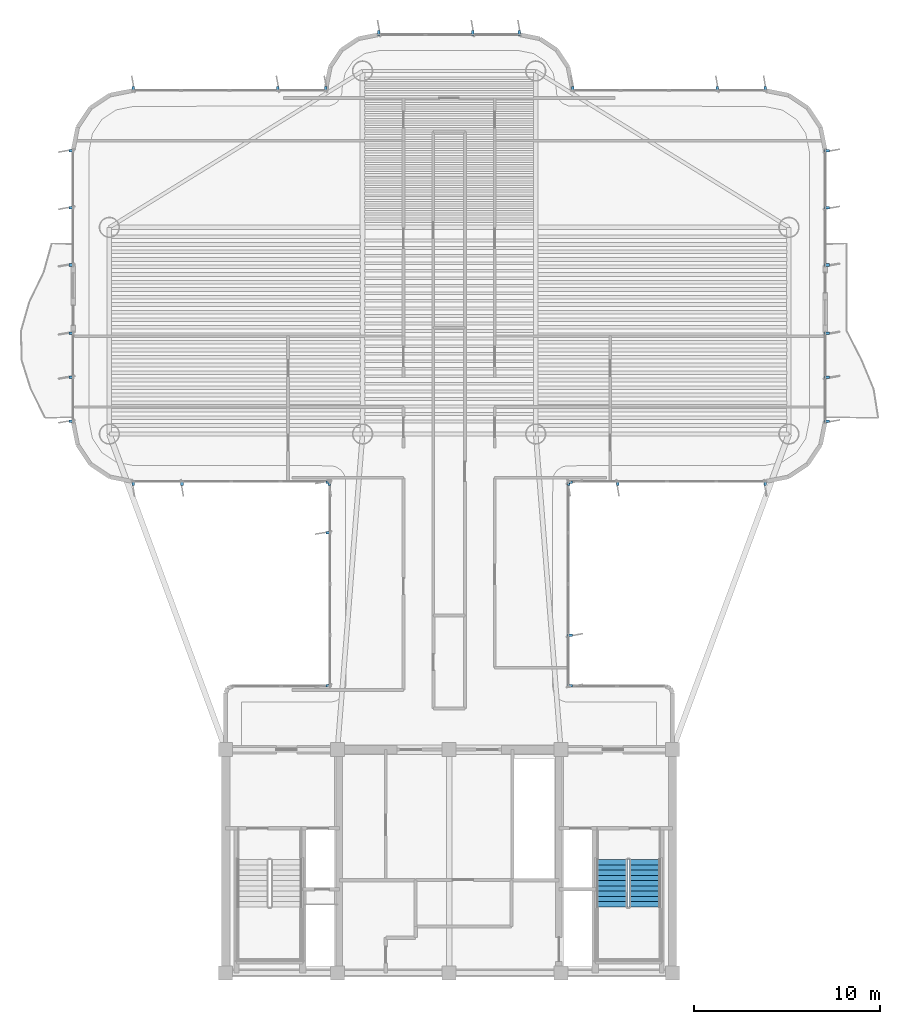
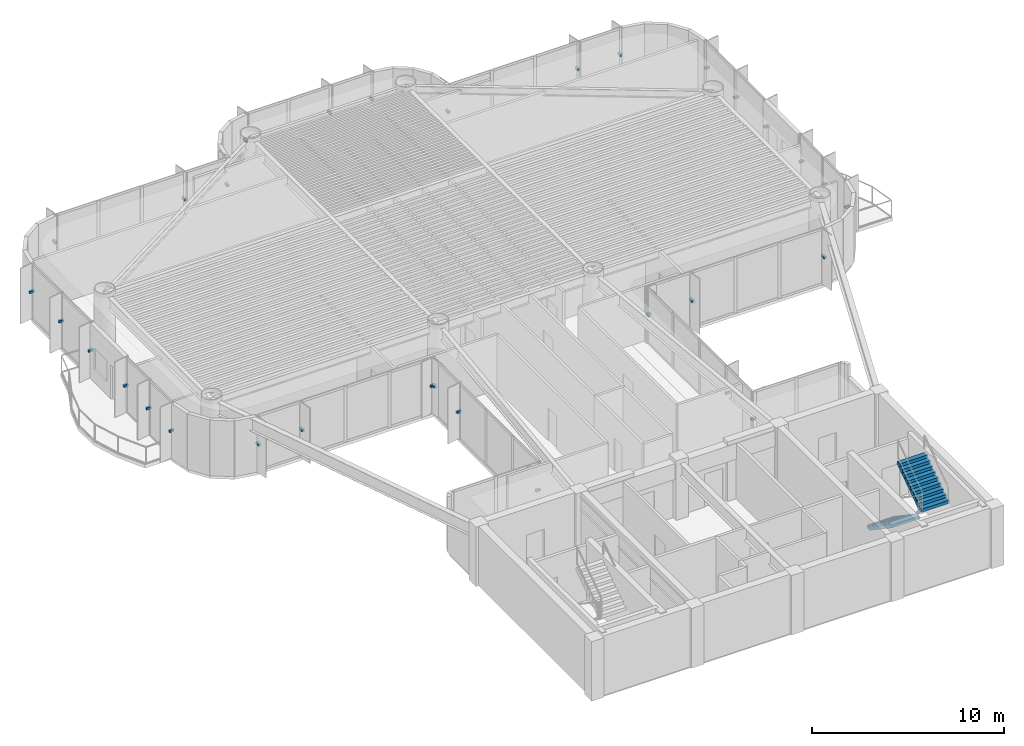
# One storey, part 12 of 14: 33 discrete accessories, 2 stair flights, 1 element without a shape of its own.
"""IFC4 building model written with IfcOpenShell, lengths in metres."""

from ifc_helpers import new_model, si_unit, direction, frame, origin, origin_2d, place, context, subcontext, project, spatial, polyline, rectangle, outline, extrude, source, transform, mapped, material, type_object, element, aggregate, save


model = new_model("IFC4")

# Units and contexts
model_context = context("Model", 3, precision=1e-05, world=origin(), true_north=direction((0.0, 1.0)))
body_context = subcontext(model_context, "Body", "Model", "MODEL_VIEW")
ifc_project = project(units=[si_unit("LENGTHUNIT", "METRE"), si_unit("AREAUNIT", "SQUARE_METRE"), si_unit("VOLUMEUNIT", "CUBIC_METRE"), si_unit("PLANEANGLEUNIT", "RADIAN"), si_unit("MASSUNIT", "GRAM", prefix="KILO")], contexts=[model_context])

# Site, building, storey
site_placement = place(None, origin())
site = spatial("IfcSite", under=ifc_project, at=site_placement, CompositionType="ELEMENT")
building_placement = place(site_placement, origin())
building = spatial("IfcBuilding", under=site, at=building_placement, Name="Brelvock Crest Care Tower", CompositionType="ELEMENT")
storey_placement = place(building_placement, frame((0.0, 0.0, 179.10009765625)))
storey = spatial("IfcBuildingStorey", under=building, at=storey_placement, Name="L45", CompositionType="ELEMENT", Elevation=179.10009765625)

# Stair, stair flights
ifc_material_1 = material(Name="Concrete N40 (40 MPa)", Category="concrete")
stair_type = type_object("IfcStairType", Name="ST-CORE1", PredefinedType="HALF_TURN_STAIR", material=ifc_material_1)
stair_placement = place(storey_placement, origin())
stair = element("IfcStair", 1, at=stair_placement, inside=storey, type_object=stair_type, Name="L45 Fire-Isolated Core Stair ST-2", PredefinedType="HALF_TURN_STAIR")
stair_flight_type = type_object("IfcStairFlightType", Name="STF-1", PredefinedType="STRAIGHT", material=ifc_material_1)
stair_flight_1_placement = place(storey_placement, frame((44.72998046875, 12.080078125, 0.0), z_axis=(0.0, 0.0, 1.0), x_axis=(0.0, -1.0, 0.0)))
stair_flight_1 = element("IfcStairFlight", 2, at=stair_flight_1_placement, type_object=stair_flight_type, Name="ST-2 flight 1", NumberOfRisers=10, NumberOfTreads=9, PredefinedType="STRAIGHT", RiserHeight=0.189, TreadLength=0.28, context=body_context, shape_type="SweptSolid", body=[
    extrude(outline(polyline([(-0.00390625, -0.014892578125), (-0.00390625, -0.0078125), (-0.00390625, -0.00048828125), (-0.00390625, 0.0068359375), (-0.00390625, 0.01416015625), (-0.00390625, 0.021484375), (-0.00390625, 0.02880859375), (-0.00390625, 0.035888671875), (-0.00390625, 0.043212890625), (-0.00390625, 0.050537109375), (-0.00390625, 0.057861328125), (-0.00390625, 0.065185546875), (-0.00390625, 0.072509765625), (-0.00390625, 0.07958984375), (-0.00390625, 0.0869140625), (-0.00390625, 0.09423828125), (-0.00390625, 0.1015625), (-0.00390625, 0.10888671875), (-0.00390625, 0.1162109375), (-0.00390625, 0.12353515625), (-0.00390625, 0.130615234375), (-0.00390625, 0.137939453125), (-0.00390625, 0.145263671875), (-0.00390625, 0.152587890625), (-0.00390625, 0.159912109375), (-0.00390625, 0.167236328125), (-0.00390625, 0.17431640625), (-0.00390625, 0.181640625), (-0.00390625, 0.18896484375), (0.0, 0.18896484375), (0.280029296875, 0.18896484375), (0.280029296875, 0.3779296875), (0.56005859375, 0.3779296875), (0.56005859375, 0.56689453125), (0.840087890625, 0.56689453125), (0.840087890625, 0.756103515625), (1.1201171875, 0.756103515625), (1.1201171875, 0.945068359375), (1.39990234375, 0.945068359375), (1.39990234375, 1.134033203125), (1.679931640625, 1.134033203125), (1.679931640625, 1.322998046875), (1.9599609375, 1.322998046875), (1.9599609375, 1.511962890625), (2.239990234375, 1.511962890625), (2.239990234375, 1.700927734375), (2.52001953125, 1.700927734375), (2.52392578125, 1.700927734375), (2.523681640625, 1.70068359375), (2.52392578125, 1.700439453125), (2.523681640625, 1.699951171875), (2.52392578125, 1.69970703125), (2.523681640625, 1.699462890625), (2.52392578125, 1.698974609375), (2.523681640625, 1.69873046875), (2.52392578125, 1.698486328125), (2.523681640625, 1.697998046875), (2.52392578125, 1.69775390625), (2.523681640625, 1.697509765625), (2.52392578125, 1.697021484375), (2.523681640625, 1.69677734375), (2.52392578125, 1.696533203125), (2.523681640625, 1.6962890625), (2.52392578125, 1.69580078125), (2.523681640625, 1.695556640625), (2.52392578125, 1.6953125), (2.523681640625, 1.69482421875), (2.52392578125, 1.694580078125), (2.523681640625, 1.6943359375), (2.52392578125, 1.69384765625), (2.523681640625, 1.693603515625), (2.52392578125, 1.693359375), (2.523681640625, 1.69287109375), (2.52392578125, 1.692626953125), (2.523681640625, 1.6923828125), (2.52392578125, 1.69189453125), (2.52001953125, 1.520263671875), (0.267822265625, 0.0), (0.0, 0.0), (0.0, -0.014892578125), (-0.00390625, -0.014892578125)])), frame((0.0, 0.83984375, 0.0), z_axis=(0.0, -1.0, 0.0), x_axis=(1.0, 0.0, 0.0)), (0.0, 0.0, 1.0), 1.679931640625),
])
stair_flight_2_placement = place(storey_placement, frame((46.530029296875, 9.56005859375, 1.889892578125), z_axis=(0.0, 0.0, 1.0), x_axis=(0.0, 1.0, 0.0)))
stair_flight_2 = element("IfcStairFlight", 3, at=stair_flight_2_placement, type_object=stair_flight_type, Name="ST-2 flight 2", NumberOfRisers=10, NumberOfTreads=9, PredefinedType="STRAIGHT", RiserHeight=0.189, TreadLength=0.28, context=body_context, shape_type="SweptSolid", body=[
    extrude(outline(polyline([(-0.00390625, -0.014892578125), (-0.00390625, -0.0078125), (-0.00390625, -0.00048828125), (-0.00390625, 0.0068359375), (-0.00390625, 0.01416015625), (-0.00390625, 0.021484375), (-0.00390625, 0.02880859375), (-0.00390625, 0.035888671875), (-0.00390625, 0.043212890625), (-0.00390625, 0.050537109375), (-0.00390625, 0.057861328125), (-0.00390625, 0.065185546875), (-0.00390625, 0.072509765625), (-0.00390625, 0.07958984375), (-0.00390625, 0.0869140625), (-0.00390625, 0.09423828125), (-0.00390625, 0.1015625), (-0.00390625, 0.10888671875), (-0.00390625, 0.1162109375), (-0.00390625, 0.12353515625), (-0.00390625, 0.130615234375), (-0.00390625, 0.137939453125), (-0.00390625, 0.145263671875), (-0.00390625, 0.152587890625), (-0.00390625, 0.159912109375), (-0.00390625, 0.167236328125), (-0.00390625, 0.17431640625), (-0.00390625, 0.181640625), (-0.00390625, 0.18896484375), (0.0, 0.18896484375), (0.280029296875, 0.18896484375), (0.280029296875, 0.3779296875), (0.56005859375, 0.3779296875), (0.56005859375, 0.56689453125), (0.840087890625, 0.56689453125), (0.840087890625, 0.756103515625), (1.1201171875, 0.756103515625), (1.1201171875, 0.945068359375), (1.39990234375, 0.945068359375), (1.39990234375, 1.134033203125), (1.679931640625, 1.134033203125), (1.679931640625, 1.322998046875), (1.9599609375, 1.322998046875), (1.9599609375, 1.511962890625), (2.239990234375, 1.511962890625), (2.239990234375, 1.700927734375), (2.52001953125, 1.700927734375), (2.52392578125, 1.700927734375), (2.523681640625, 1.70068359375), (2.52392578125, 1.700439453125), (2.523681640625, 1.699951171875), (2.52392578125, 1.69970703125), (2.523681640625, 1.699462890625), (2.52392578125, 1.698974609375), (2.523681640625, 1.69873046875), (2.52392578125, 1.698486328125), (2.523681640625, 1.697998046875), (2.52392578125, 1.69775390625), (2.523681640625, 1.697509765625), (2.52392578125, 1.697021484375), (2.523681640625, 1.69677734375), (2.52392578125, 1.696533203125), (2.523681640625, 1.6962890625), (2.52392578125, 1.69580078125), (2.523681640625, 1.695556640625), (2.52392578125, 1.6953125), (2.523681640625, 1.69482421875), (2.52392578125, 1.694580078125), (2.523681640625, 1.6943359375), (2.52392578125, 1.69384765625), (2.523681640625, 1.693603515625), (2.52392578125, 1.693359375), (2.523681640625, 1.69287109375), (2.52392578125, 1.692626953125), (2.523681640625, 1.6923828125), (2.52392578125, 1.69189453125), (2.52001953125, 1.520263671875), (0.267822265625, 0.0), (0.0, 0.0), (0.0, -0.014892578125), (-0.00390625, -0.014892578125)])), frame((0.0, 0.83984375, 0.0), z_axis=(0.0, -1.0, 0.0), x_axis=(1.0, 0.0, 0.0)), (0.0, 0.0, 1.0), 1.679931640625),
])
aggregate(stair, [stair_flight_1, stair_flight_2])

# Discrete accessories
ifc_material_2 = material(Name="Steel Grade 350", Category="steel")
discrete_accessory_type = type_object("IfcDiscreteAccessoryType", Name="ACC-BRK1", PredefinedType="BRACKET", material=ifc_material_2)
shared_shape = source(origin(), body_context, "Body", "SweptSolid", [
    extrude(rectangle(XDim=0.280029296875, YDim=0.139892578125, at=origin_2d()), origin(), (0.0, 0.0, 1.0), 0.139892578125),
])
for number, where, z_axis, x_axis, name in (
    (4, (29.52001953125, 21.429931640625, 1.69482421875), (0.0, 0.0, 1.0), (-1.0, 0.0, 0.0), "L45 Facade Fin Bracket E11-01"),
    (5, (29.52001953125, 29.64990234375, 1.69482421875), (0.0, 0.0, 1.0), (-1.0, 0.0, 0.0), "L45 Facade Fin Bracket E11-04"),
    (6, (29.52001953125, 32.3701171875, 1.69482421875), (0.0, 0.0, 1.0), (-1.0, 0.0, 0.0), "L45 Facade Fin Bracket E11-05"),
    (7, (29.570068359375, 32.320068359375, 1.69482421875), (0.0, 0.0, 1.0), (0.0, -1.0, 0.0), "L45 Facade Fin Bracket E12-01"),
    (8, (21.64990234375, 32.320068359375, 1.69482421875), (0.0, 0.0, 1.0), (0.0, -1.0, 0.0), "L45 Facade Fin Bracket E12-04"),
    (9, (19.030029296875, 32.320068359375, 1.69482421875), (0.0, 0.0, 1.0), (0.0, -1.0, 0.0), "L45 Facade Fin Bracket E12-05"),
    (10, (15.719970703125, 35.6298828125, 1.69482421875), (0.0, 0.0, 1.0), (-1.0, 0.0, 0.0), "L45 Facade Fin Bracket E17A-01"),
    (11, (15.719970703125, 38.0, 1.69482421875), (0.0, 0.0, 1.0), (-1.0, 0.0, 0.0), "L45 Facade Fin Bracket E17A-02"),
    (12, (15.719970703125, 40.3701171875, 1.69482421875), (0.0, 0.0, 1.0), (-1.0, 0.0, 0.0), "L45 Facade Fin Bracket E17A-03"),
    (13, (15.719970703125, 44.030029296875, 1.69482421875), (0.0, 0.0, 1.0), (-1.0, 0.0, 0.0), "L45 Facade Fin Bracket E17B-01"),
    (14, (15.719970703125, 47.10009765625, 1.69482421875), (0.0, 0.0, 1.0), (-1.0, 0.0, 0.0), "L45 Facade Fin Bracket E17B-02"),
    (15, (15.719970703125, 50.169921875, 1.69482421875), (0.0, 0.0, 1.0), (-1.0, 0.0, 0.0), "L45 Facade Fin Bracket E17B-03"),
    (16, (19.030029296875, 53.47998046875, 1.69482421875), (0.0, 0.0, 1.0), (0.0, 1.0, 0.0), "L45 Facade Fin Bracket E22-01"),
    (17, (26.800048828125, 53.47998046875, 1.69482421875), (0.0, 0.0, 1.0), (0.0, 1.0, 0.0), "L45 Facade Fin Bracket E22-04"),
    (18, (29.3701171875, 53.47998046875, 1.69482421875), (0.0, 0.0, 1.0), (0.0, 1.0, 0.0), "L45 Facade Fin Bracket E22-05"),
    (19, (32.22998046875, 56.47998046875, 1.69482421875), (0.0, 0.0, 1.0), (0.0, 1.0, 0.0), "L45 Facade Fin Bracket E28-01"),
    (20, (37.2666015625, 56.47998046875, 1.69482421875), (0.0, 0.0, 1.0), (0.0, 1.0, 0.0), "L45 Facade Fin Bracket E28-03"),
    (21, (39.77001953125, 56.47998046875, 1.69482421875), (0.0, 0.0, 1.0), (0.0, 1.0, 0.0), "L45 Facade Fin Bracket E28-04"),
    (22, (42.6298828125, 53.47998046875, 1.69482421875), (0.0, 0.0, 1.0), (0.0, 1.0, 0.0), "L45 Facade Fin Bracket E34-01"),
    (23, (50.39990234375, 53.47998046875, 1.69482421875), (0.0, 0.0, 1.0), (0.0, 1.0, 0.0), "L45 Facade Fin Bracket E34-04"),
    (24, (52.969970703125, 53.47998046875, 1.69482421875), (0.0, 0.0, 1.0), (0.0, 1.0, 0.0), "L45 Facade Fin Bracket E34-05"),
    (25, (56.280029296875, 50.169921875, 1.69482421875), (0.0, 0.0, 1.0), (1.0, 0.0, 0.0), "L45 Facade Fin Bracket E39A-01"),
    (26, (56.280029296875, 47.10009765625, 1.69482421875), (0.0, 0.0, 1.0), (1.0, 0.0, 0.0), "L45 Facade Fin Bracket E39A-02"),
    (27, (56.280029296875, 44.030029296875, 1.69482421875), (0.0, 0.0, 1.0), (1.0, 0.0, 0.0), "L45 Facade Fin Bracket E39A-03"),
    (28, (56.280029296875, 40.3701171875, 1.69482421875), (0.0, 0.0, 1.0), (1.0, 0.0, 0.0), "L45 Facade Fin Bracket E39B-01"),
    (29, (56.280029296875, 38.0, 1.69482421875), (0.0, 0.0, 1.0), (1.0, 0.0, 0.0), "L45 Facade Fin Bracket E39B-02"),
    (30, (56.280029296875, 35.6298828125, 1.69482421875), (0.0, 0.0, 1.0), (1.0, 0.0, 0.0), "L45 Facade Fin Bracket E39B-03"),
    (31, (52.969970703125, 32.320068359375, 1.69482421875), (0.0, 0.0, 1.0), (0.0, -1.0, 0.0), "L45 Facade Fin Bracket E44-01"),
    (32, (45.050048828125, 32.320068359375, 1.69482421875), (0.0, 0.0, 1.0), (0.0, -1.0, 0.0), "L45 Facade Fin Bracket E44-04"),
    (33, (42.429931640625, 32.320068359375, 1.69482421875), (0.0, 0.0, 1.0), (0.0, -1.0, 0.0), "L45 Facade Fin Bracket E44-05"),
    (34, (42.47998046875, 32.3701171875, 1.69482421875), (0.0, 0.0, 1.0), (1.0, 0.0, 0.0), "L45 Facade Fin Bracket E45-01"),
    (35, (42.47998046875, 24.14990234375, 1.69482421875), (0.0, 0.0, 1.0), (1.0, 0.0, 0.0), "L45 Facade Fin Bracket E45-04"),
    (36, (42.47998046875, 21.429931640625, 1.69482421875), (0.0, 0.0, 1.0), (1.0, 0.0, 0.0), "L45 Facade Fin Bracket E45-05"),
):
    element("IfcDiscreteAccessory", number, at=place(storey_placement, frame(where, z_axis=z_axis, x_axis=x_axis)), inside=storey, type_object=discrete_accessory_type, Name=name, PredefinedType="BRACKET", context=body_context, shape_type="MappedRepresentation", body=[
        mapped(shared_shape, transform((0.0, 0.0, 0.0), x_axis=(1.0, 0.0, 0.0), y_axis=(0.0, 1.0, 0.0), z_axis=(0.0, 0.0, 1.0), scale=1.0)),
    ])

save(model, "model.ifc")
